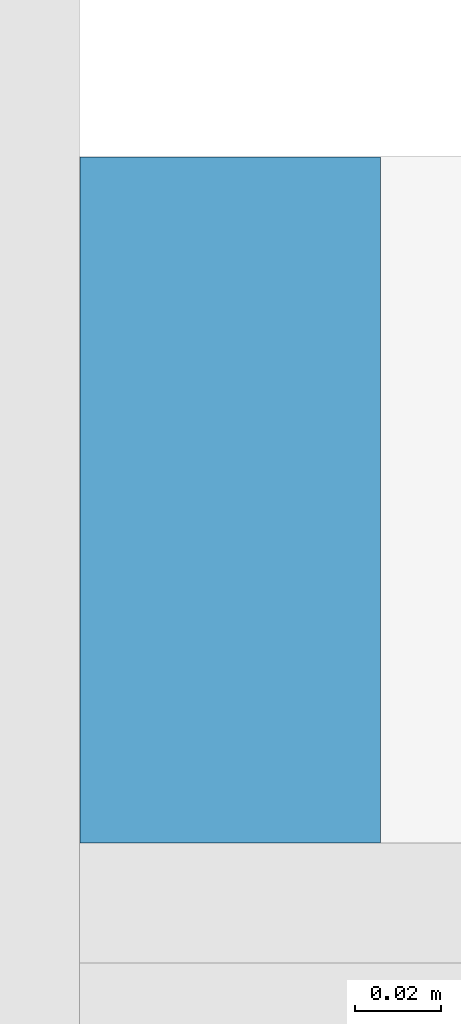
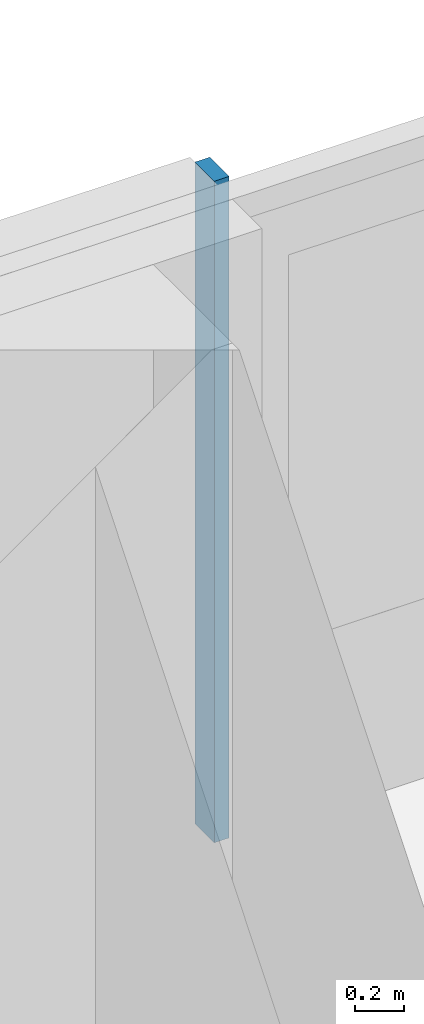
# One storey, part 10 of 27: 1 member, 1 element without a shape of its own.
"""IFC4 building model written with IfcOpenShell, lengths in metres."""

import ifcopenshell
import ifcopenshell.guid

model = None  # the IFC model being written
_history = None  # IfcOwnerHistory: only IFC2X3 demands one
_inside = {}  # id of a spatial element -> (the spatial element, [elements in it])
_under = {}  # id of a project, library or spatial element -> (it, [spatial elements below it])
_declared = {}  # id of a project -> (the project, [libraries it declares])
_typed = {}  # id of a type object -> (the type object, [elements of that type])
_made_of = {}  # id of a material, layer set ... -> (it, [elements and type objects made of it])


def new_model(schema):
    """Start an empty IFC model of exactly this schema.

    Asked for "IFC4X3", IfcOpenShell would pick the latest addendum, in which some entities
    have other attributes; the version numbers below select the first issue.
    IFC2X3 requires an IfcOwnerHistory on every rooted entity: one is made here for all.
    """
    global model, _history
    if schema == "IFC4X3":
        model = ifcopenshell.file(schema_version=(4, 3, 0, 0))
    else:
        model = ifcopenshell.file(schema=schema)
    _inside.clear()
    _under.clear()
    _declared.clear()
    _typed.clear()
    _made_of.clear()
    _history = None
    if model.schema == "IFC2X3":
        org = make("IfcOrganization", Name="unknown")
        user = make(
            "IfcPersonAndOrganization",
            ThePerson=make("IfcPerson", FamilyName="unknown"),
            TheOrganization=org,
        )
        app = make(
            "IfcApplication",
            ApplicationDeveloper=org,
            Version="unknown",
            ApplicationFullName="unknown",
            ApplicationIdentifier="unknown",
        )
        _history = make(
            "IfcOwnerHistory",
            OwningUser=user,
            OwningApplication=app,
            ChangeAction="ADDED",
            CreationDate=0,
        )
    return model


def make(cls, **values):
    """One entity of the class cls with the attributes given. An attribute that is None is left unset."""
    return model.create_entity(
        cls, **{name: value for name, value in values.items() if value is not None}
    )


def rooted(cls, **values):
    """An entity with a GlobalId (a new one), such as an element, a storey or a relation."""
    return make(cls, GlobalId=ifcopenshell.guid.new(), OwnerHistory=_history, **values)


def si_unit(unit_type, name, prefix=None):
    """IfcSIUnit, for example si_unit("LENGTHUNIT", "METRE", prefix="MILLI")."""
    return make("IfcSIUnit", UnitType=unit_type, Prefix=prefix, Name=name)


def assignment(units):
    """IfcUnitAssignment: the units of a project."""
    return None if units is None else make("IfcUnitAssignment", Units=units)


def point(xyz):
    """IfcCartesianPoint."""
    return None if xyz is None else make("IfcCartesianPoint", Coordinates=xyz)


def direction(xyz):
    """IfcDirection."""
    return None if xyz is None else make("IfcDirection", DirectionRatios=xyz)


def frame(location, z_axis=None, x_axis=None):
    """IfcAxis2Placement3D, a coordinate frame: its origin and axes. An axis left out is left unset."""
    return make(
        "IfcAxis2Placement3D",
        Location=point(location),
        Axis=direction(z_axis),
        RefDirection=direction(x_axis),
    )


def frame_2d(location, x_axis=None):
    """IfcAxis2Placement2D, a coordinate frame in the plane: its origin and x axis."""
    return make(
        "IfcAxis2Placement2D", Location=point(location), RefDirection=direction(x_axis)
    )


def origin():
    """The frame at (0, 0, 0) with its axes left unset."""
    return frame((0.0, 0.0, 0.0))


def origin_2d():
    """The frame at (0, 0) in the plane with its x axis left unset."""
    return frame_2d((0.0, 0.0))


def place(relative_to, where):
    """IfcLocalPlacement: puts the frame where relative to a parent placement (None: the world)."""
    return make(
        "IfcLocalPlacement", PlacementRelTo=relative_to, RelativePlacement=where
    )


def context(
    kind, dimensions, precision=None, world=None, true_north=None, identifier=None
):
    """IfcGeometricRepresentationContext, for example the 3D "Model" context."""
    return make(
        "IfcGeometricRepresentationContext",
        ContextIdentifier=identifier,
        ContextType=kind,
        CoordinateSpaceDimension=dimensions,
        Precision=precision,
        WorldCoordinateSystem=world,
        TrueNorth=true_north,
    )


def subcontext(parent, identifier, kind, view, scale=None):
    """IfcGeometricRepresentationSubContext, for example "Body" below "Model"."""
    return make(
        "IfcGeometricRepresentationSubContext",
        ContextIdentifier=identifier,
        ContextType=kind,
        ParentContext=parent,
        TargetScale=scale,
        TargetView=view,
    )


def project(units=None, contexts=None):
    """IfcProject with its units and contexts."""
    return rooted(
        "IfcProject",
        Name="project",
        RepresentationContexts=contexts,
        UnitsInContext=assignment(units),
    )


def spatial(cls, under=None, at=None, **own):
    """A site, building, storey or space (cls), placed at a placement, below another one or the project."""
    s = rooted(cls, ObjectPlacement=at, **own)
    if under is not None:
        _under.setdefault(under.id(), (under, []))[1].append(s)
    return s


def profile(cls, at=None, kind="AREA", **sizes):
    """A parametric profile (cls). Its sizes go by their IFC names, for example OverallWidth=200.0."""
    return make(cls, ProfileType=kind, Position=at, **sizes)


def rectangle(**sizes):
    """IfcRectangleProfileDef."""
    return profile("IfcRectangleProfileDef", **sizes)


def extrude(swept, where, along, depth):
    """IfcExtrudedAreaSolid: the profile swept, set in the frame where, extruded along a direction by depth."""
    return make(
        "IfcExtrudedAreaSolid",
        SweptArea=swept,
        Position=where,
        ExtrudedDirection=direction(along),
        Depth=depth,
    )


def shape(context_of_items, identifier, shape_type, items):
    """IfcShapeRepresentation: the items that make up one representation, for example the "Body"."""
    return make(
        "IfcShapeRepresentation",
        ContextOfItems=context_of_items,
        RepresentationIdentifier=identifier,
        RepresentationType=shape_type,
        Items=items,
    )


def material(Name=None, Category=None):
    """IfcMaterial."""
    return make("IfcMaterial", Name=Name, Category=Category)


def material_profile(
    of_material, cross_section, Name=None, Category=None, Priority=None
):
    """IfcMaterialProfile: a cross section and its material."""
    return make(
        "IfcMaterialProfile",
        Name=Name,
        Material=of_material,
        Profile=cross_section,
        Priority=Priority,
        Category=Category,
    )


def profile_set(profiles, Name=None, composite=None):
    """IfcMaterialProfileSet."""
    return make(
        "IfcMaterialProfileSet",
        Name=Name,
        MaterialProfiles=profiles,
        CompositeProfile=composite,
    )


def made_of(thing, what):
    """Note that an element or type object is made of a material, layer set ...; save() writes the relation."""
    if what is not None:
        _made_of.setdefault(what.id(), (what, []))[1].append(thing)
    return thing


def type_object(cls, material=None, **own):
    """A type object (cls), such as IfcWallType, which elements share."""
    return made_of(rooted(cls, **own), material)


def element(
    cls,
    number,
    at=None,
    inside=None,
    cuts=None,
    type_object=None,
    material=None,
    context=None,
    identifier="Body",
    shape_type=None,
    held_by="IfcProductDefinitionShape",
    body=None,
    shapes=None,
    **own,
):
    """One element of the class cls, such as IfcWall. Its Tag is "e" and its number.

    at: its placement. inside: the storey or other place that contains it. cuts: it is an
    opening in that element (IfcRelVoidsElement). A single representation is given by context,
    identifier, shape_type and body (its items); several are given by shapes. held_by: the class
    of the entity that holds the representations. save() writes the other relations.
    """
    e = rooted(cls, Tag="e%d" % number, ObjectPlacement=at, **own)
    if body is not None:
        shapes = [shape(context, identifier, shape_type, body)]
    if shapes is not None:
        e.Representation = make(held_by, Representations=shapes)
    if inside is not None:
        _inside.setdefault(inside.id(), (inside, []))[1].append(e)
    if cuts is not None:
        rooted(
            "IfcRelVoidsElement", RelatingBuildingElement=cuts, RelatedOpeningElement=e
        )
    if type_object is not None:
        _typed.setdefault(type_object.id(), (type_object, []))[1].append(e)
    return made_of(e, material)


def aggregate(whole, parts):
    """IfcRelAggregates: a whole, such as a stair, and the parts it consists of."""
    return rooted("IfcRelAggregates", RelatingObject=whole, RelatedObjects=parts)


def save(model, path):
    """Write the relations noted so far, then the file.

    IfcRelAggregates (storeys below a building ...), IfcRelContainedInSpatialStructure (elements
    in a storey), IfcRelDefinesByType, IfcRelAssociatesMaterial and IfcRelDeclares: one each for
    every whole, place, type object, material and project.
    """
    for whole, parts in _under.values():
        aggregate(whole, parts)
    for where, things in _inside.values():
        rooted(
            "IfcRelContainedInSpatialStructure",
            RelatedElements=things,
            RelatingStructure=where,
        )
    for kind, things in _typed.values():
        rooted("IfcRelDefinesByType", RelatedObjects=things, RelatingType=kind)
    for what, things in _made_of.values():
        rooted("IfcRelAssociatesMaterial", RelatedObjects=things, RelatingMaterial=what)
    for by, libraries in _declared.values():
        rooted("IfcRelDeclares", RelatingContext=by, RelatedDefinitions=libraries)
    model.write(path)


model = new_model("IFC4")

# Units and contexts
model_context = context("Model", 3, precision=1e-05, world=origin(), true_north=direction((0.0, 1.0)))
body_context = subcontext(model_context, "Body", "Model", "MODEL_VIEW")
ifc_project = project(units=[si_unit("LENGTHUNIT", "METRE"), si_unit("AREAUNIT", "SQUARE_METRE"), si_unit("VOLUMEUNIT", "CUBIC_METRE"), si_unit("PLANEANGLEUNIT", "RADIAN"), si_unit("MASSUNIT", "GRAM", prefix="KILO")], contexts=[model_context])

# Site, building, storey
site_placement = place(None, origin())
site = spatial("IfcSite", under=ifc_project, at=site_placement, CompositionType="ELEMENT")
building_placement = place(site_placement, origin())
building = spatial("IfcBuilding", under=site, at=building_placement, Name="Saffron Gate Tower", CompositionType="ELEMENT")
storey_placement = place(building_placement, frame((0.0, 0.0, 209.10009765625)))
storey = spatial("IfcBuildingStorey", under=building, at=storey_placement, Name="L50", CompositionType="ELEMENT", Elevation=209.10009765625)

# Curtain wall, member
ifc_material = material(Name="Aluminium, bronze anodised", Category="aluminium")
curtain_wall_type = type_object("IfcCurtainWallType", Name="CWS3 curtain wall rear facade", PredefinedType="NOTDEFINED", material=ifc_material)
curtain_wall_placement = place(storey_placement, origin())
curtain_wall = element("IfcCurtainWall", 1, at=curtain_wall_placement, inside=storey, type_object=curtain_wall_type, Name="CWS3 run 7", PredefinedType="NOTDEFINED")
ifc_material_profile = material_profile(ifc_material, rectangle(XDim=0.159912109375, YDim=0.070068359375, at=origin_2d()))
ifc_profile_set = profile_set([ifc_material_profile], Name="Aluminium, bronze anodised")
member_type = type_object("IfcMemberType", Name="CWS3 mullion 70x160", PredefinedType="MULLION", material=ifc_profile_set)
member_placement = place(storey_placement, frame((108.60009765625, 75.52001953125, 0.0), z_axis=(0.0, 0.0, 1.0), x_axis=(0.0, -1.0, 0.0)))
member = element("IfcMember", 2, at=member_placement, type_object=member_type, Name="CWS3 mullion 3", PredefinedType="MULLION", context=body_context, shape_type="SweptSolid", body=[
    extrude(rectangle(XDim=0.159912109375, YDim=0.070068359375, at=origin_2d()), origin(), (0.0, 0.0, 1.0), 3.31982421875),
])
aggregate(curtain_wall, [member])

save(model, "model.ifc")
